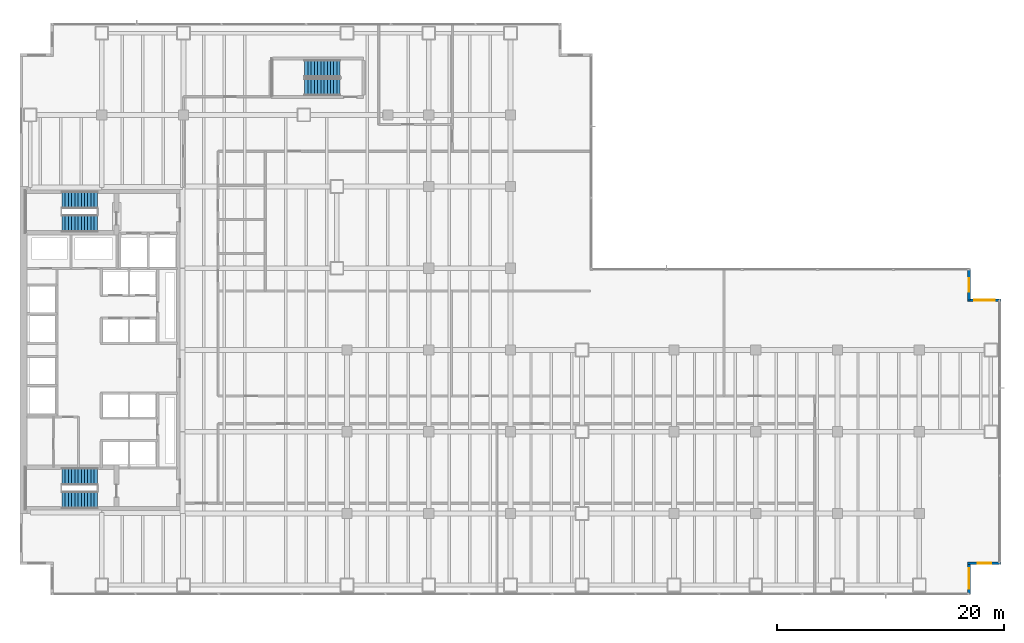
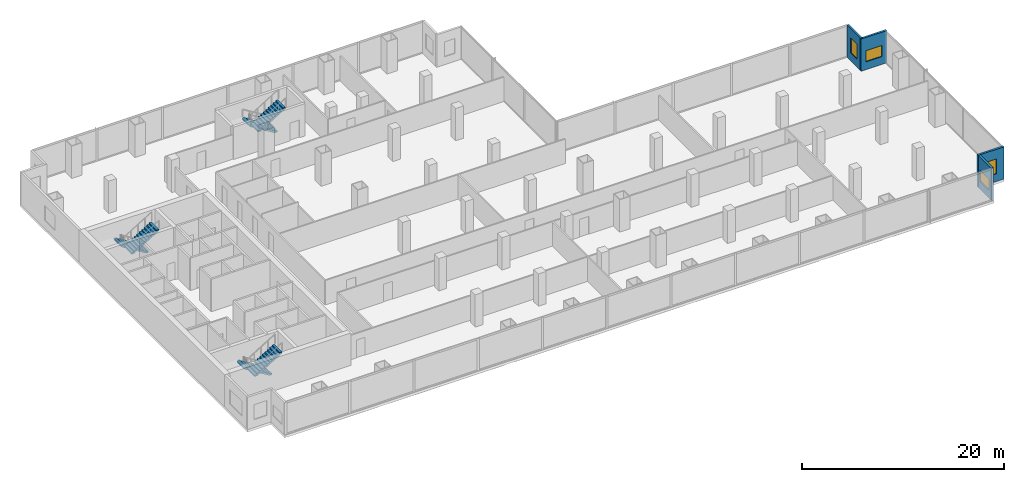
# One storey, part 26 of 31: 6 stair flights, 4 walls, 4 windows, 4 openings, 3 elements without a shape of their own.
"""IFC4 building model written with IfcOpenShell, lengths in metres."""

from ifc_helpers import new_model, si_unit, direction, frame, frame_2d, origin, place, context, subcontext, project, spatial, polyline, rectangle, outline, extrude, material, layer, layer_set, type_object, element, fill, aggregate, save


model = new_model("IFC4")

# Units and contexts
model_context = context("Model", 3, precision=1e-05, world=origin(), true_north=direction((0.0, 1.0)))
body_context = subcontext(model_context, "Body", "Model", "MODEL_VIEW")
ifc_project = project(units=[si_unit("LENGTHUNIT", "METRE"), si_unit("AREAUNIT", "SQUARE_METRE"), si_unit("VOLUMEUNIT", "CUBIC_METRE"), si_unit("PLANEANGLEUNIT", "RADIAN"), si_unit("MASSUNIT", "GRAM", prefix="KILO")], contexts=[model_context])

# Site, building, storey
site_placement = place(None, origin())
site = spatial("IfcSite", under=ifc_project, at=site_placement, CompositionType="ELEMENT")
building_placement = place(site_placement, origin())
building = spatial("IfcBuilding", under=site, at=building_placement, Name="Cobrela Telecom Tower", CompositionType="ELEMENT")
storey_placement = place(building_placement, frame((0.0, 0.0, 9.449951171875)))
storey = spatial("IfcBuildingStorey", under=building, at=storey_placement, Name="L02", CompositionType="ELEMENT", Elevation=9.449951171875)

# Wall, opening, window
ifc_material_1 = material(Name="Concrete C40/50", Category="concrete")
ifc_layer = layer(ifc_material_1, 0.239990234375)
ifc_layer_set = layer_set([ifc_layer], Name="Concrete C40/50")
wall_type = type_object("IfcWallType", Name="WALL-EXT-300", PredefinedType="STANDARD", material=ifc_layer_set)
wall_1_placement = place(storey_placement, frame((83.580078125, 28.679931640625, 0.0), z_axis=(0.0, 0.0, 1.0), x_axis=(0.0, -1.0, 0.0)))
wall_1 = element("IfcWall", 1, at=wall_1_placement, inside=storey, type_object=wall_type, Name="L02 Insulated Facade Wall 12", PredefinedType="STANDARD", context=body_context, shape_type="SweptSolid", body=[
    extrude(rectangle(XDim=2.699951171875, YDim=0.239990234375, at=frame_2d((1.35009765625, 0.0))), origin(), (0.0, 0.0, 1.0), 3.900146484375),
])
opening_1_placement = place(wall_1_placement, frame((0.75, 0.0, 0.949951171875)))
opening_1 = element("IfcOpeningElement", 2, at=opening_1_placement, cuts=wall_1, Name="Opening WN-19", PredefinedType="OPENING", context=body_context, shape_type="SweptSolid", body=[
    extrude(rectangle(XDim=1.199951171875, YDim=1.800048828125, at=frame_2d((0.60009765625, 0.89990234375))), frame((0.0, 0.1318359375, 0.0), z_axis=(0.0, -1.0, 0.0), x_axis=(1.0, 0.0, 0.0)), (0.0, 0.0, 1.0), 0.263916015625),
])
ifc_material_2 = material(Name="Solar-Control Bronze Low-E Glass", Category="glass")
window_type_1 = type_object("IfcWindowType", Name="WIN-MOD-1200", PartitioningType="SINGLE_PANEL", PredefinedType="WINDOW", material=ifc_material_2)
window_1_placement = place(opening_1_placement, origin())
window_1 = element("IfcWindow", 3, at=window_1_placement, inside=storey, type_object=window_type_1, Name="L02 Corner Notch Facade Window 011", OverallHeight=1.800048828125, OverallWidth=1.199951171875, PartitioningType="SINGLE_PANEL", PredefinedType="WINDOW", context=body_context, shape_type="SweptSolid", body=[
    extrude(rectangle(XDim=1.199951171875, YDim=1.800048828125, at=frame_2d((0.60009765625, 0.89990234375))), frame((0.0, 0.030029296875, 0.0), z_axis=(0.0, -1.0, 0.0), x_axis=(1.0, 0.0, 0.0)), (0.0, 0.0, 1.0), 0.06005859375),
])
fill(opening_1, window_1)

wall_2_placement = place(storey_placement, frame((83.4599609375, 25.97998046875, 0.0), z_axis=(0.0, 0.0, 1.0), x_axis=(1.0, 0.0, 0.0)))
wall_2 = element("IfcWall", 4, at=wall_2_placement, inside=storey, type_object=wall_type, Name="L02 Insulated Facade Wall 13", PredefinedType="STANDARD", context=body_context, shape_type="SweptSolid", body=[
    extrude(rectangle(XDim=2.93994140625, YDim=0.239990234375, at=frame_2d((1.469970703125, 0.0))), origin(), (0.0, 0.0, 1.0), 3.900146484375),
])
opening_2_placement = place(wall_2_placement, frame((0.570068359375, 0.0, 0.949951171875)))
opening_2 = element("IfcOpeningElement", 5, at=opening_2_placement, cuts=wall_2, Name="Opening WN-27", PredefinedType="OPENING", context=body_context, shape_type="SweptSolid", body=[
    extrude(rectangle(XDim=1.800048828125, YDim=1.35009765625, at=frame_2d((0.89990234375, 0.675048828125))), frame((0.0, 0.1318359375, 0.0), z_axis=(0.0, -1.0, 0.0), x_axis=(1.0, 0.0, 0.0)), (0.0, 0.0, 1.0), 0.263916015625),
])
window_type_2 = type_object("IfcWindowType", Name="WIN-CLER-1800", PartitioningType="SINGLE_PANEL", PredefinedType="WINDOW", material=ifc_material_2)
window_2_placement = place(opening_2_placement, origin())
window_2 = element("IfcWindow", 6, at=window_2_placement, inside=storey, type_object=window_type_2, Name="L02 Corner Notch Facade Window 012", OverallHeight=1.35009765625, OverallWidth=1.800048828125, PartitioningType="SINGLE_PANEL", PredefinedType="WINDOW", context=body_context, shape_type="SweptSolid", body=[
    extrude(rectangle(XDim=1.800048828125, YDim=1.35009765625, at=frame_2d((0.89990234375, 0.675048828125))), frame((0.0, 0.030029296875, 0.0), z_axis=(0.0, -1.0, 0.0), x_axis=(1.0, 0.0, 0.0)), (0.0, 0.0, 1.0), 0.06005859375),
])
fill(opening_2, window_2)

wall_3_placement = place(storey_placement, frame((86.39990234375, 2.820068359375, 0.0), z_axis=(0.0, 0.0, 1.0), x_axis=(-1.0, 0.0, 0.0)))
wall_3 = element("IfcWall", 7, at=wall_3_placement, inside=storey, type_object=wall_type, Name="L02 Insulated Facade Wall 15", PredefinedType="STANDARD", context=body_context, shape_type="SweptSolid", body=[
    extrude(rectangle(XDim=2.93994140625, YDim=0.239990234375, at=frame_2d((1.469970703125, 0.0))), origin(), (0.0, 0.0, 1.0), 3.900146484375),
])
opening_3_placement = place(wall_3_placement, frame((0.8701171875, 0.0, 0.949951171875)))
opening_3 = element("IfcOpeningElement", 8, at=opening_3_placement, cuts=wall_3, Name="Opening WN-19", PredefinedType="OPENING", context=body_context, shape_type="SweptSolid", body=[
    extrude(rectangle(XDim=1.199951171875, YDim=1.800048828125, at=frame_2d((0.60009765625, 0.89990234375))), frame((0.0, 0.1318359375, 0.0), z_axis=(0.0, -1.0, 0.0), x_axis=(1.0, 0.0, 0.0)), (0.0, 0.0, 1.0), 0.263916015625),
])
window_3_placement = place(opening_3_placement, origin())
window_3 = element("IfcWindow", 9, at=window_3_placement, inside=storey, type_object=window_type_1, Name="L02 Corner Notch Facade Window 013", OverallHeight=1.800048828125, OverallWidth=1.199951171875, PartitioningType="SINGLE_PANEL", PredefinedType="WINDOW", context=body_context, shape_type="SweptSolid", body=[
    extrude(rectangle(XDim=1.199951171875, YDim=1.800048828125, at=frame_2d((0.60009765625, 0.89990234375))), frame((0.0, 0.030029296875, 0.0), z_axis=(0.0, -1.0, 0.0), x_axis=(1.0, 0.0, 0.0)), (0.0, 0.0, 1.0), 0.06005859375),
])
fill(opening_3, window_3)

wall_4_placement = place(storey_placement, frame((83.580078125, 2.820068359375, 0.0), z_axis=(0.0, 0.0, 1.0), x_axis=(0.0, -1.0, 0.0)))
wall_4 = element("IfcWall", 10, at=wall_4_placement, inside=storey, type_object=wall_type, Name="L02 Insulated Facade Wall 16", PredefinedType="STANDARD", context=body_context, shape_type="SweptSolid", body=[
    extrude(rectangle(XDim=2.699951171875, YDim=0.239990234375, at=frame_2d((1.35009765625, 0.0))), origin(), (0.0, 0.0, 1.0), 3.900146484375),
])
opening_4_placement = place(wall_4_placement, frame((0.449951171875, 0.0, 0.949951171875)))
opening_4 = element("IfcOpeningElement", 11, at=opening_4_placement, cuts=wall_4, Name="Opening WN-27", PredefinedType="OPENING", context=body_context, shape_type="SweptSolid", body=[
    extrude(rectangle(XDim=1.800048828125, YDim=1.35009765625, at=frame_2d((0.89990234375, 0.675048828125))), frame((0.0, 0.1318359375, 0.0), z_axis=(0.0, -1.0, 0.0), x_axis=(1.0, 0.0, 0.0)), (0.0, 0.0, 1.0), 0.263916015625),
])
window_4_placement = place(opening_4_placement, origin())
window_4 = element("IfcWindow", 12, at=window_4_placement, inside=storey, type_object=window_type_2, Name="L02 Corner Notch Facade Window 014", OverallHeight=1.35009765625, OverallWidth=1.800048828125, PartitioningType="SINGLE_PANEL", PredefinedType="WINDOW", context=body_context, shape_type="SweptSolid", body=[
    extrude(rectangle(XDim=1.800048828125, YDim=1.35009765625, at=frame_2d((0.89990234375, 0.675048828125))), frame((0.0, 0.030029296875, 0.0), z_axis=(0.0, -1.0, 0.0), x_axis=(1.0, 0.0, 0.0)), (0.0, 0.0, 1.0), 0.06005859375),
])
fill(opening_4, window_4)

# Stair, stair flights
stair_type = type_object("IfcStairType", Name="STAIR-CORE", PredefinedType="HALF_TURN_STAIR", material=ifc_material_1)
stair_1_placement = place(storey_placement, origin())
stair_1 = element("IfcStair", 13, at=stair_1_placement, inside=storey, type_object=stair_type, Name="L02 Smokeproof Exit Stair ST1", PredefinedType="HALF_TURN_STAIR")
stair_flight_type = type_object("IfcStairFlightType", Name="FLIGHT-CORE", PredefinedType="STRAIGHT", material=ifc_material_1)
stair_flight_1_placement = place(storey_placement, frame((6.820068359375, 34.800048828125, 0.0), z_axis=(0.0, 0.0, 1.0), x_axis=(-1.0, 0.0, 0.0)))
stair_flight_1 = element("IfcStairFlight", 14, at=stair_flight_1_placement, type_object=stair_flight_type, Name="ST1 flight 1", NumberOfRisers=12, NumberOfTreads=11, PredefinedType="STRAIGHT", RiserHeight=0.175, TreadLength=0.285, context=body_context, shape_type="SweptSolid", body=[
    extrude(outline(polyline([(0.0, 0.0), (0.0, 0.175048828125), (0.284912109375, 0.175048828125), (0.284912109375, 0.35009765625), (0.570068359375, 0.35009765625), (0.570068359375, 0.52490234375), (0.85498046875, 0.52490234375), (0.85498046875, 0.699951171875), (1.139892578125, 0.699951171875), (1.139892578125, 0.875), (1.425048828125, 0.875), (1.425048828125, 1.050048828125), (1.7099609375, 1.050048828125), (1.7099609375, 1.22509765625), (1.9951171875, 1.22509765625), (1.9951171875, 1.39990234375), (2.280029296875, 1.39990234375), (2.280029296875, 1.574951171875), (2.56494140625, 1.574951171875), (2.56494140625, 1.75), (2.85009765625, 1.75), (2.85009765625, 1.925048828125), (3.135009765625, 1.925048828125), (3.135009765625, 2.10009765625), (3.135009765625, 1.7490234375), (0.286376953125, 0.0), (0.0, 0.0)])), frame((0.0, 0.75, 0.0), z_axis=(0.0, -1.0, 0.0), x_axis=(1.0, 0.0, 0.0)), (0.0, 0.0, 1.0), 1.5),
])
stair_flight_2_placement = place(storey_placement, frame((3.68505859375, 32.75, 2.10009765625), z_axis=(0.0, 0.0, 1.0), x_axis=(1.0, 0.0, 0.0)))
stair_flight_2 = element("IfcStairFlight", 15, at=stair_flight_2_placement, type_object=stair_flight_type, Name="ST1 flight 2", NumberOfRisers=12, NumberOfTreads=11, PredefinedType="STRAIGHT", RiserHeight=0.175, TreadLength=0.285, context=body_context, shape_type="SweptSolid", body=[
    extrude(outline(polyline([(0.0, 0.0), (0.0, 0.175048828125), (0.284912109375, 0.175048828125), (0.284912109375, 0.35009765625), (0.570068359375, 0.35009765625), (0.570068359375, 0.52490234375), (0.85498046875, 0.52490234375), (0.85498046875, 0.699951171875), (1.139892578125, 0.699951171875), (1.139892578125, 0.875), (1.425048828125, 0.875), (1.425048828125, 1.050048828125), (1.7099609375, 1.050048828125), (1.7099609375, 1.22509765625), (1.9951171875, 1.22509765625), (1.9951171875, 1.39990234375), (2.280029296875, 1.39990234375), (2.280029296875, 1.574951171875), (2.56494140625, 1.574951171875), (2.56494140625, 1.75), (2.85009765625, 1.75), (2.85009765625, 1.925048828125), (3.135009765625, 1.925048828125), (3.135009765625, 2.10009765625), (3.135009765625, 1.7490234375), (0.286376953125, 0.0), (0.0, 0.0)])), frame((0.0, 0.75, 0.0), z_axis=(0.0, -1.0, 0.0), x_axis=(1.0, 0.0, 0.0)), (0.0, 0.0, 1.0), 1.5),
])
aggregate(stair_1, [stair_flight_1, stair_flight_2])

stair_2_placement = place(storey_placement, origin())
stair_2 = element("IfcStair", 16, at=stair_2_placement, inside=storey, type_object=stair_type, Name="L02 Smokeproof Exit Stair ST2", PredefinedType="HALF_TURN_STAIR")
stair_flight_3_placement = place(storey_placement, frame((6.820068359375, 10.449951171875, 0.0), z_axis=(0.0, 0.0, 1.0), x_axis=(-1.0, 0.0, 0.0)))
stair_flight_3 = element("IfcStairFlight", 17, at=stair_flight_3_placement, type_object=stair_flight_type, Name="ST2 flight 1", NumberOfRisers=12, NumberOfTreads=11, PredefinedType="STRAIGHT", RiserHeight=0.175, TreadLength=0.285, context=body_context, shape_type="SweptSolid", body=[
    extrude(outline(polyline([(0.0, 0.0), (0.0, 0.175048828125), (0.284912109375, 0.175048828125), (0.284912109375, 0.35009765625), (0.570068359375, 0.35009765625), (0.570068359375, 0.52490234375), (0.85498046875, 0.52490234375), (0.85498046875, 0.699951171875), (1.139892578125, 0.699951171875), (1.139892578125, 0.875), (1.425048828125, 0.875), (1.425048828125, 1.050048828125), (1.7099609375, 1.050048828125), (1.7099609375, 1.22509765625), (1.9951171875, 1.22509765625), (1.9951171875, 1.39990234375), (2.280029296875, 1.39990234375), (2.280029296875, 1.574951171875), (2.56494140625, 1.574951171875), (2.56494140625, 1.75), (2.85009765625, 1.75), (2.85009765625, 1.925048828125), (3.135009765625, 1.925048828125), (3.135009765625, 2.10009765625), (3.135009765625, 1.7490234375), (0.286376953125, 0.0), (0.0, 0.0)])), frame((0.0, 0.75, 0.0), z_axis=(0.0, -1.0, 0.0), x_axis=(1.0, 0.0, 0.0)), (0.0, 0.0, 1.0), 1.5),
])
stair_flight_4_placement = place(storey_placement, frame((3.68505859375, 8.39990234375, 2.10009765625), z_axis=(0.0, 0.0, 1.0), x_axis=(1.0, 0.0, 0.0)))
stair_flight_4 = element("IfcStairFlight", 18, at=stair_flight_4_placement, type_object=stair_flight_type, Name="ST2 flight 2", NumberOfRisers=12, NumberOfTreads=11, PredefinedType="STRAIGHT", RiserHeight=0.175, TreadLength=0.285, context=body_context, shape_type="SweptSolid", body=[
    extrude(outline(polyline([(0.0, 0.0), (0.0, 0.175048828125), (0.284912109375, 0.175048828125), (0.284912109375, 0.35009765625), (0.570068359375, 0.35009765625), (0.570068359375, 0.52490234375), (0.85498046875, 0.52490234375), (0.85498046875, 0.699951171875), (1.139892578125, 0.699951171875), (1.139892578125, 0.875), (1.425048828125, 0.875), (1.425048828125, 1.050048828125), (1.7099609375, 1.050048828125), (1.7099609375, 1.22509765625), (1.9951171875, 1.22509765625), (1.9951171875, 1.39990234375), (2.280029296875, 1.39990234375), (2.280029296875, 1.574951171875), (2.56494140625, 1.574951171875), (2.56494140625, 1.75), (2.85009765625, 1.75), (2.85009765625, 1.925048828125), (3.135009765625, 1.925048828125), (3.135009765625, 2.10009765625), (3.135009765625, 1.7490234375), (0.286376953125, 0.0), (0.0, 0.0)])), frame((0.0, 0.75, 0.0), z_axis=(0.0, -1.0, 0.0), x_axis=(1.0, 0.0, 0.0)), (0.0, 0.0, 1.0), 1.5),
])
aggregate(stair_2, [stair_flight_3, stair_flight_4])

stair_3_placement = place(storey_placement, origin())
stair_3 = element("IfcStair", 19, at=stair_3_placement, inside=storey, type_object=stair_type, Name="L02 Smokeproof Exit Stair ST3", PredefinedType="HALF_TURN_STAIR")
stair_flight_5_placement = place(storey_placement, frame((28.199951171875, 46.39990234375, 0.0), z_axis=(0.0, 0.0, 1.0), x_axis=(-1.0, 0.0, 0.0)))
stair_flight_5 = element("IfcStairFlight", 20, at=stair_flight_5_placement, type_object=stair_flight_type, Name="ST3 flight 1", NumberOfRisers=12, NumberOfTreads=11, PredefinedType="STRAIGHT", RiserHeight=0.175, TreadLength=0.285, context=body_context, shape_type="SweptSolid", body=[
    extrude(outline(polyline([(0.0, 0.0), (0.0, 0.175048828125), (0.284912109375, 0.175048828125), (0.284912109375, 0.35009765625), (0.570068359375, 0.35009765625), (0.570068359375, 0.52490234375), (0.85498046875, 0.52490234375), (0.85498046875, 0.699951171875), (1.139892578125, 0.699951171875), (1.139892578125, 0.875), (1.425048828125, 0.875), (1.425048828125, 1.050048828125), (1.7099609375, 1.050048828125), (1.7099609375, 1.22509765625), (1.9951171875, 1.22509765625), (1.9951171875, 1.39990234375), (2.280029296875, 1.39990234375), (2.280029296875, 1.574951171875), (2.56494140625, 1.574951171875), (2.56494140625, 1.75), (2.85009765625, 1.75), (2.85009765625, 1.925048828125), (3.135009765625, 1.925048828125), (3.135009765625, 2.10009765625), (3.135009765625, 1.7490234375), (0.286376953125, 0.0), (0.0, 0.0)])), frame((0.0, 0.75, 0.0), z_axis=(0.0, -1.0, 0.0), x_axis=(1.0, 0.0, 0.0)), (0.0, 0.0, 1.0), 1.5),
])
stair_flight_6_placement = place(storey_placement, frame((25.06494140625, 44.75, 2.10009765625), z_axis=(0.0, 0.0, 1.0), x_axis=(1.0, 0.0, 0.0)))
stair_flight_6 = element("IfcStairFlight", 21, at=stair_flight_6_placement, type_object=stair_flight_type, Name="ST3 flight 2", NumberOfRisers=12, NumberOfTreads=11, PredefinedType="STRAIGHT", RiserHeight=0.175, TreadLength=0.285, context=body_context, shape_type="SweptSolid", body=[
    extrude(outline(polyline([(0.0, 0.0), (0.0, 0.175048828125), (0.284912109375, 0.175048828125), (0.284912109375, 0.35009765625), (0.570068359375, 0.35009765625), (0.570068359375, 0.52490234375), (0.85498046875, 0.52490234375), (0.85498046875, 0.699951171875), (1.139892578125, 0.699951171875), (1.139892578125, 0.875), (1.425048828125, 0.875), (1.425048828125, 1.050048828125), (1.7099609375, 1.050048828125), (1.7099609375, 1.22509765625), (1.9951171875, 1.22509765625), (1.9951171875, 1.39990234375), (2.280029296875, 1.39990234375), (2.280029296875, 1.574951171875), (2.56494140625, 1.574951171875), (2.56494140625, 1.75), (2.85009765625, 1.75), (2.85009765625, 1.925048828125), (3.135009765625, 1.925048828125), (3.135009765625, 2.10009765625), (3.135009765625, 1.7490234375), (0.286376953125, 0.0), (0.0, 0.0)])), frame((0.0, 0.75, 0.0), z_axis=(0.0, -1.0, 0.0), x_axis=(1.0, 0.0, 0.0)), (0.0, 0.0, 1.0), 1.5),
])
aggregate(stair_3, [stair_flight_5, stair_flight_6])

save(model, "model.ifc")
